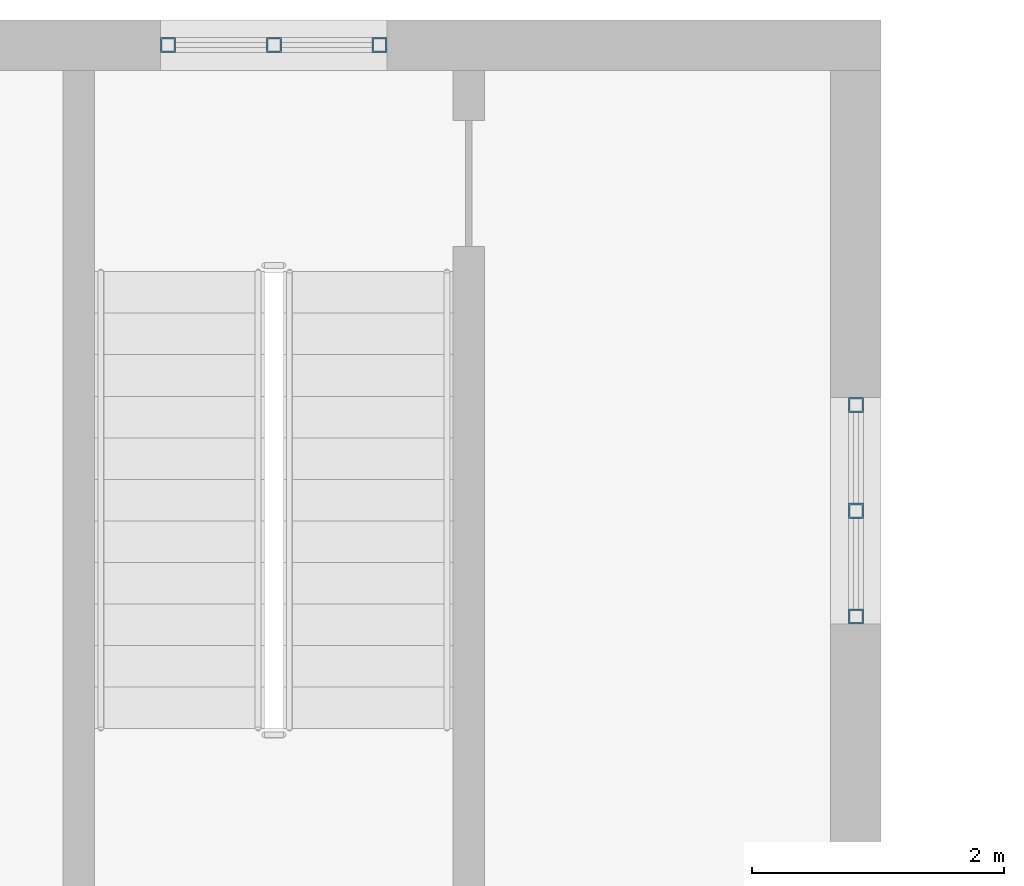
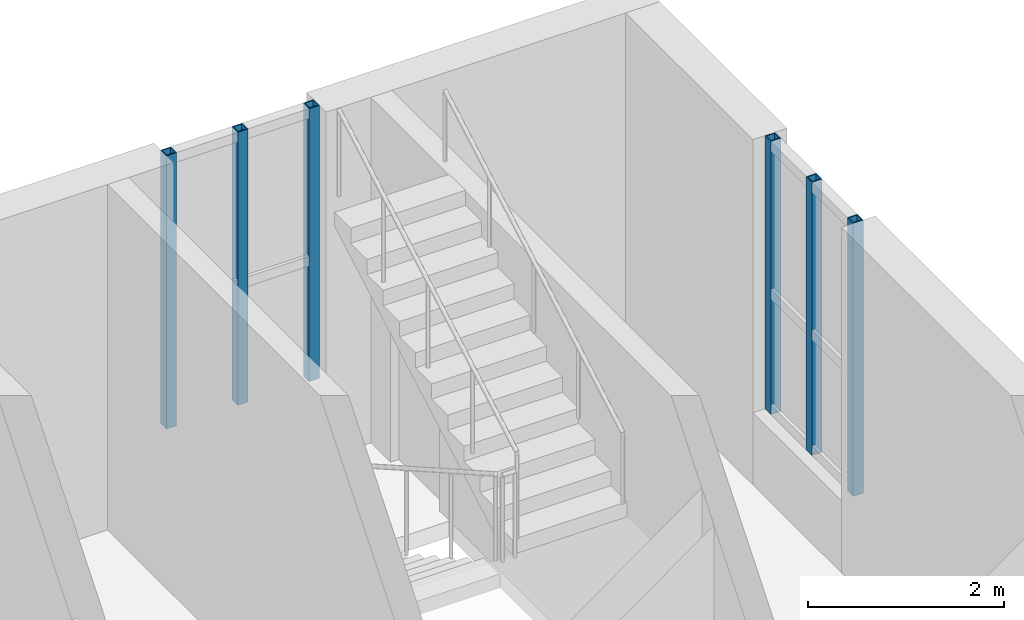
# One storey, part 50 of 134: 6 members, 2 elements without a shape of their own.
"""IFC4 building model written with IfcOpenShell, lengths in metres."""

import ifcopenshell
import ifcopenshell.guid

model = None  # the IFC model being written
_history = None  # IfcOwnerHistory: only IFC2X3 demands one
_inside = {}  # id of a spatial element -> (the spatial element, [elements in it])
_under = {}  # id of a project, library or spatial element -> (it, [spatial elements below it])
_declared = {}  # id of a project -> (the project, [libraries it declares])
_typed = {}  # id of a type object -> (the type object, [elements of that type])
_made_of = {}  # id of a material, layer set ... -> (it, [elements and type objects made of it])


def new_model(schema):
    """Start an empty IFC model of exactly this schema.

    Asked for "IFC4X3", IfcOpenShell would pick the latest addendum, in which some entities
    have other attributes; the version numbers below select the first issue.
    IFC2X3 requires an IfcOwnerHistory on every rooted entity: one is made here for all.
    """
    global model, _history
    if schema == "IFC4X3":
        model = ifcopenshell.file(schema_version=(4, 3, 0, 0))
    else:
        model = ifcopenshell.file(schema=schema)
    _inside.clear()
    _under.clear()
    _declared.clear()
    _typed.clear()
    _made_of.clear()
    _history = None
    if model.schema == "IFC2X3":
        org = make("IfcOrganization", Name="unknown")
        user = make(
            "IfcPersonAndOrganization",
            ThePerson=make("IfcPerson", FamilyName="unknown"),
            TheOrganization=org,
        )
        app = make(
            "IfcApplication",
            ApplicationDeveloper=org,
            Version="unknown",
            ApplicationFullName="unknown",
            ApplicationIdentifier="unknown",
        )
        _history = make(
            "IfcOwnerHistory",
            OwningUser=user,
            OwningApplication=app,
            ChangeAction="ADDED",
            CreationDate=0,
        )
    return model


def make(cls, **values):
    """One entity of the class cls with the attributes given. An attribute that is None is left unset."""
    return model.create_entity(
        cls, **{name: value for name, value in values.items() if value is not None}
    )


def rooted(cls, **values):
    """An entity with a GlobalId (a new one), such as an element, a storey or a relation."""
    return make(cls, GlobalId=ifcopenshell.guid.new(), OwnerHistory=_history, **values)


def si_unit(unit_type, name, prefix=None):
    """IfcSIUnit, for example si_unit("LENGTHUNIT", "METRE", prefix="MILLI")."""
    return make("IfcSIUnit", UnitType=unit_type, Prefix=prefix, Name=name)


def assignment(units):
    """IfcUnitAssignment: the units of a project."""
    return None if units is None else make("IfcUnitAssignment", Units=units)


def point(xyz):
    """IfcCartesianPoint."""
    return None if xyz is None else make("IfcCartesianPoint", Coordinates=xyz)


def direction(xyz):
    """IfcDirection."""
    return None if xyz is None else make("IfcDirection", DirectionRatios=xyz)


def frame(location, z_axis=None, x_axis=None):
    """IfcAxis2Placement3D, a coordinate frame: its origin and axes. An axis left out is left unset."""
    return make(
        "IfcAxis2Placement3D",
        Location=point(location),
        Axis=direction(z_axis),
        RefDirection=direction(x_axis),
    )


def frame_2d(location, x_axis=None):
    """IfcAxis2Placement2D, a coordinate frame in the plane: its origin and x axis."""
    return make(
        "IfcAxis2Placement2D", Location=point(location), RefDirection=direction(x_axis)
    )


def origin():
    """The frame at (0, 0, 0) with its axes left unset."""
    return frame((0.0, 0.0, 0.0))


def origin_2d():
    """The frame at (0, 0) in the plane with its x axis left unset."""
    return frame_2d((0.0, 0.0))


def place(relative_to, where):
    """IfcLocalPlacement: puts the frame where relative to a parent placement (None: the world)."""
    return make(
        "IfcLocalPlacement", PlacementRelTo=relative_to, RelativePlacement=where
    )


def context(
    kind, dimensions, precision=None, world=None, true_north=None, identifier=None
):
    """IfcGeometricRepresentationContext, for example the 3D "Model" context."""
    return make(
        "IfcGeometricRepresentationContext",
        ContextIdentifier=identifier,
        ContextType=kind,
        CoordinateSpaceDimension=dimensions,
        Precision=precision,
        WorldCoordinateSystem=world,
        TrueNorth=true_north,
    )


def subcontext(parent, identifier, kind, view, scale=None):
    """IfcGeometricRepresentationSubContext, for example "Body" below "Model"."""
    return make(
        "IfcGeometricRepresentationSubContext",
        ContextIdentifier=identifier,
        ContextType=kind,
        ParentContext=parent,
        TargetScale=scale,
        TargetView=view,
    )


def project(units=None, contexts=None):
    """IfcProject with its units and contexts."""
    return rooted(
        "IfcProject",
        Name="project",
        RepresentationContexts=contexts,
        UnitsInContext=assignment(units),
    )


def spatial(cls, under=None, at=None, **own):
    """A site, building, storey or space (cls), placed at a placement, below another one or the project."""
    s = rooted(cls, ObjectPlacement=at, **own)
    if under is not None:
        _under.setdefault(under.id(), (under, []))[1].append(s)
    return s


def profile(cls, at=None, kind="AREA", **sizes):
    """A parametric profile (cls). Its sizes go by their IFC names, for example OverallWidth=200.0."""
    return make(cls, ProfileType=kind, Position=at, **sizes)


def hollow_rectangle(**sizes):
    """IfcRectangleHollowProfileDef."""
    return profile("IfcRectangleHollowProfileDef", **sizes)


def extrude(swept, where, along, depth):
    """IfcExtrudedAreaSolid: the profile swept, set in the frame where, extruded along a direction by depth."""
    return make(
        "IfcExtrudedAreaSolid",
        SweptArea=swept,
        Position=where,
        ExtrudedDirection=direction(along),
        Depth=depth,
    )


def shape(context_of_items, identifier, shape_type, items):
    """IfcShapeRepresentation: the items that make up one representation, for example the "Body"."""
    return make(
        "IfcShapeRepresentation",
        ContextOfItems=context_of_items,
        RepresentationIdentifier=identifier,
        RepresentationType=shape_type,
        Items=items,
    )


def material(Name=None, Category=None):
    """IfcMaterial."""
    return make("IfcMaterial", Name=Name, Category=Category)


def material_profile(
    of_material, cross_section, Name=None, Category=None, Priority=None
):
    """IfcMaterialProfile: a cross section and its material."""
    return make(
        "IfcMaterialProfile",
        Name=Name,
        Material=of_material,
        Profile=cross_section,
        Priority=Priority,
        Category=Category,
    )


def profile_set(profiles, Name=None, composite=None):
    """IfcMaterialProfileSet."""
    return make(
        "IfcMaterialProfileSet",
        Name=Name,
        MaterialProfiles=profiles,
        CompositeProfile=composite,
    )


def made_of(thing, what):
    """Note that an element or type object is made of a material, layer set ...; save() writes the relation."""
    if what is not None:
        _made_of.setdefault(what.id(), (what, []))[1].append(thing)
    return thing


def type_object(cls, material=None, **own):
    """A type object (cls), such as IfcWallType, which elements share."""
    return made_of(rooted(cls, **own), material)


def element(
    cls,
    number,
    at=None,
    inside=None,
    cuts=None,
    type_object=None,
    material=None,
    context=None,
    identifier="Body",
    shape_type=None,
    held_by="IfcProductDefinitionShape",
    body=None,
    shapes=None,
    **own,
):
    """One element of the class cls, such as IfcWall. Its Tag is "e" and its number.

    at: its placement. inside: the storey or other place that contains it. cuts: it is an
    opening in that element (IfcRelVoidsElement). A single representation is given by context,
    identifier, shape_type and body (its items); several are given by shapes. held_by: the class
    of the entity that holds the representations. save() writes the other relations.
    """
    e = rooted(cls, Tag="e%d" % number, ObjectPlacement=at, **own)
    if body is not None:
        shapes = [shape(context, identifier, shape_type, body)]
    if shapes is not None:
        e.Representation = make(held_by, Representations=shapes)
    if inside is not None:
        _inside.setdefault(inside.id(), (inside, []))[1].append(e)
    if cuts is not None:
        rooted(
            "IfcRelVoidsElement", RelatingBuildingElement=cuts, RelatedOpeningElement=e
        )
    if type_object is not None:
        _typed.setdefault(type_object.id(), (type_object, []))[1].append(e)
    return made_of(e, material)


def aggregate(whole, parts):
    """IfcRelAggregates: a whole, such as a stair, and the parts it consists of."""
    return rooted("IfcRelAggregates", RelatingObject=whole, RelatedObjects=parts)


def save(model, path):
    """Write the relations noted so far, then the file.

    IfcRelAggregates (storeys below a building ...), IfcRelContainedInSpatialStructure (elements
    in a storey), IfcRelDefinesByType, IfcRelAssociatesMaterial and IfcRelDeclares: one each for
    every whole, place, type object, material and project.
    """
    for whole, parts in _under.values():
        aggregate(whole, parts)
    for where, things in _inside.values():
        rooted(
            "IfcRelContainedInSpatialStructure",
            RelatedElements=things,
            RelatingStructure=where,
        )
    for kind, things in _typed.values():
        rooted("IfcRelDefinesByType", RelatedObjects=things, RelatingType=kind)
    for what, things in _made_of.values():
        rooted("IfcRelAssociatesMaterial", RelatedObjects=things, RelatingMaterial=what)
    for by, libraries in _declared.values():
        rooted("IfcRelDeclares", RelatingContext=by, RelatedDefinitions=libraries)
    model.write(path)


model = new_model("IFC4")

# Units and contexts
model_context = context("Model", 3, precision=1e-05, world=origin(), true_north=direction((0.0, 1.0)))
body_context = subcontext(model_context, "Body", "Model", "MODEL_VIEW")
ifc_project = project(units=[si_unit("LENGTHUNIT", "METRE"), si_unit("AREAUNIT", "SQUARE_METRE"), si_unit("VOLUMEUNIT", "CUBIC_METRE"), si_unit("PLANEANGLEUNIT", "RADIAN"), si_unit("MASSUNIT", "GRAM", prefix="KILO")], contexts=[model_context])

# Site, building, storey
site_placement = place(None, origin())
site = spatial("IfcSite", under=ifc_project, at=site_placement, CompositionType="ELEMENT")
building_placement = place(site_placement, origin())
building = spatial("IfcBuilding", under=site, at=building_placement, Name="Golden Quay Civic Hall", CompositionType="ELEMENT")
storey_placement = place(building_placement, frame((0.0, 0.0, 5.39990234375)))
storey = spatial("IfcBuildingStorey", under=building, at=storey_placement, Name="L01", CompositionType="ELEMENT", Elevation=5.39990234375)

# Curtain wall, members
ifc_material_1 = material(Name="Fire-resisting glass and steel", Category="steel")
curtain_wall_type = type_object("IfcCurtainWallType", Name="Fire-resisting glazed stair curtain wall EI 120", PredefinedType="NOTDEFINED", material=ifc_material_1)
curtain_wall_1_placement = place(storey_placement, origin())
curtain_wall_1 = element("IfcCurtainWall", 1, at=curtain_wall_1_placement, inside=storey, type_object=curtain_wall_type, Name="CW4 stair curtain wall", PredefinedType="NOTDEFINED")
ifc_material_2 = material(Name="Steel S355", Category="steel")
ifc_material_profile = material_profile(ifc_material_2, hollow_rectangle(XDim=0.1201171875, YDim=0.1201171875, WallThickness=0.012451171875, at=origin_2d()), Name="SHS 120x120x12.5")
ifc_profile_set = profile_set([ifc_material_profile], Name="Steel S355")
member_type = type_object("IfcMemberType", Name="Fire-resisting steel stair mullion 120 x 120", PredefinedType="MULLION", material=ifc_profile_set)
member_1_placement = place(storey_placement, frame((102.534912109375, 108.0, 0.900146484375), z_axis=(0.0, 0.0, 1.0), x_axis=(0.0, 1.0, 0.0)))
member_1 = element("IfcMember", 2, at=member_1_placement, type_object=member_type, Name="CW4 mullion 1", PredefinedType="MULLION", context=body_context, shape_type="SweptSolid", body=[
    extrude(hollow_rectangle(XDim=0.1201171875, YDim=0.1201171875, WallThickness=0.012451171875, at=origin_2d()), origin(), (0.0, 0.0, 1.0), 3.39990234375),
])
member_2_placement = place(storey_placement, frame((103.375, 108.0, 0.900146484375), z_axis=(0.0, 0.0, 1.0), x_axis=(0.0, 1.0, 0.0)))
member_2 = element("IfcMember", 3, at=member_2_placement, type_object=member_type, Name="CW4 mullion 2", PredefinedType="MULLION", context=body_context, shape_type="SweptSolid", body=[
    extrude(hollow_rectangle(XDim=0.1201171875, YDim=0.1201171875, WallThickness=0.012451171875, at=origin_2d()), origin(), (0.0, 0.0, 1.0), 3.39990234375),
])
member_3_placement = place(storey_placement, frame((104.215087890625, 108.0, 0.900146484375), z_axis=(0.0, 0.0, 1.0), x_axis=(0.0, 1.0, 0.0)))
member_3 = element("IfcMember", 4, at=member_3_placement, type_object=member_type, Name="CW4 mullion 3", PredefinedType="MULLION", context=body_context, shape_type="SweptSolid", body=[
    extrude(hollow_rectangle(XDim=0.1201171875, YDim=0.1201171875, WallThickness=0.012451171875, at=origin_2d()), origin(), (0.0, 0.0, 1.0), 3.39990234375),
])
aggregate(curtain_wall_1, [member_1, member_2, member_3])

curtain_wall_2_placement = place(storey_placement, origin())
curtain_wall_2 = element("IfcCurtainWall", 5, at=curtain_wall_2_placement, inside=storey, type_object=curtain_wall_type, Name="CW4 stair curtain wall", PredefinedType="NOTDEFINED")
member_4_placement = place(storey_placement, frame((108.0, 103.4599609375, 0.900146484375), z_axis=(0.0, 0.0, 1.0), x_axis=(-1.0, 0.0, 0.0)))
member_4 = element("IfcMember", 6, at=member_4_placement, type_object=member_type, Name="CW4 mullion 1", PredefinedType="MULLION", context=body_context, shape_type="SweptSolid", body=[
    extrude(hollow_rectangle(XDim=0.1201171875, YDim=0.1201171875, WallThickness=0.012451171875, at=origin_2d()), origin(), (0.0, 0.0, 1.0), 3.39990234375),
])
member_5_placement = place(storey_placement, frame((108.0, 104.300048828125, 0.900146484375), z_axis=(0.0, 0.0, 1.0), x_axis=(-1.0, 0.0, 0.0)))
member_5 = element("IfcMember", 7, at=member_5_placement, type_object=member_type, Name="CW4 mullion 2", PredefinedType="MULLION", context=body_context, shape_type="SweptSolid", body=[
    extrude(hollow_rectangle(XDim=0.1201171875, YDim=0.1201171875, WallThickness=0.012451171875, at=origin_2d()), origin(), (0.0, 0.0, 1.0), 3.39990234375),
])
member_6_placement = place(storey_placement, frame((108.0, 105.139892578125, 0.900146484375), z_axis=(0.0, 0.0, 1.0), x_axis=(-1.0, 0.0, 0.0)))
member_6 = element("IfcMember", 8, at=member_6_placement, type_object=member_type, Name="CW4 mullion 3", PredefinedType="MULLION", context=body_context, shape_type="SweptSolid", body=[
    extrude(hollow_rectangle(XDim=0.1201171875, YDim=0.1201171875, WallThickness=0.012451171875, at=origin_2d()), origin(), (0.0, 0.0, 1.0), 3.39990234375),
])
aggregate(curtain_wall_2, [member_4, member_5, member_6])

save(model, "model.ifc")
